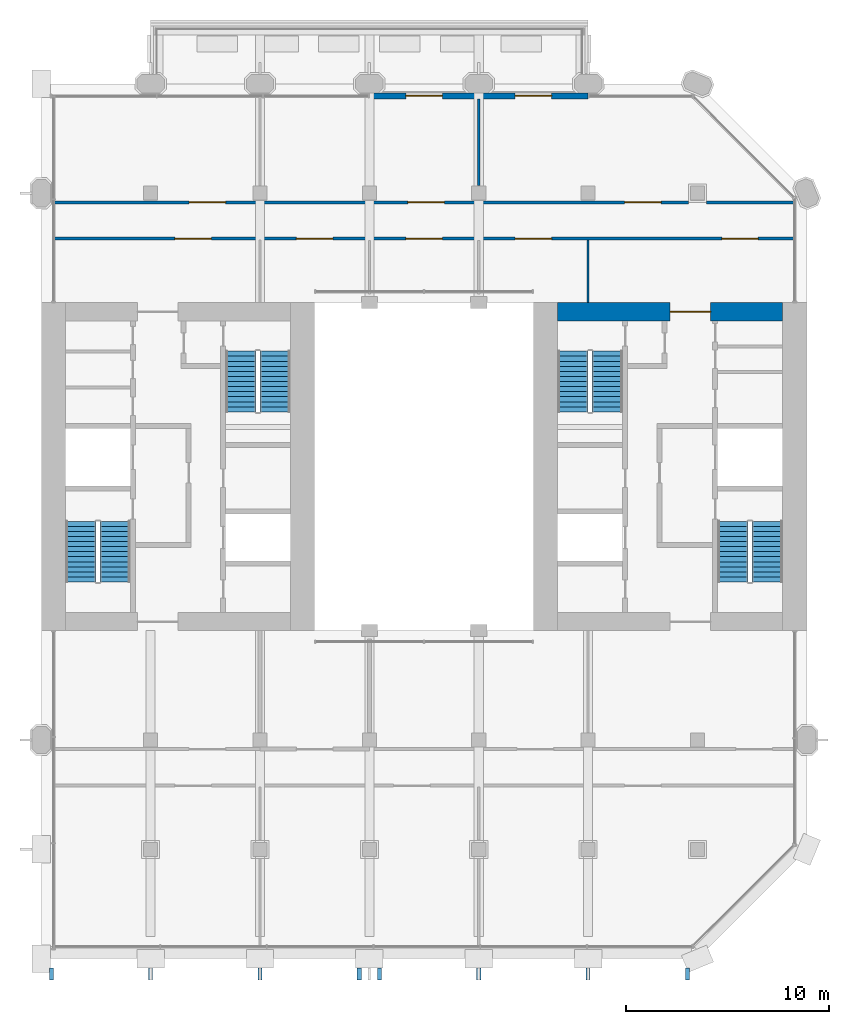
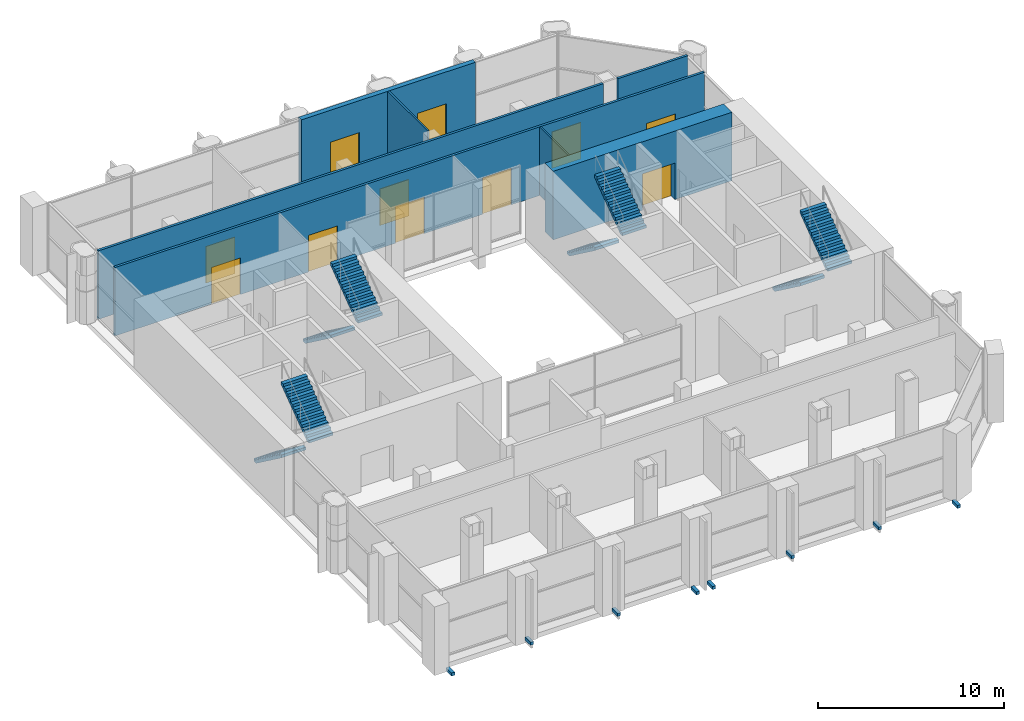
# One storey, part 10 of 13: 11 doors, 8 discrete accessories, 8 stair flights, 7 walls, 11 openings, 4 elements without a shape of their own.
"""IFC4 building model written with IfcOpenShell, lengths in metres."""

import ifcopenshell
import ifcopenshell.guid

model = None  # the IFC model being written
_history = None  # IfcOwnerHistory: only IFC2X3 demands one
_inside = {}  # id of a spatial element -> (the spatial element, [elements in it])
_under = {}  # id of a project, library or spatial element -> (it, [spatial elements below it])
_declared = {}  # id of a project -> (the project, [libraries it declares])
_typed = {}  # id of a type object -> (the type object, [elements of that type])
_made_of = {}  # id of a material, layer set ... -> (it, [elements and type objects made of it])


def new_model(schema):
    """Start an empty IFC model of exactly this schema.

    Asked for "IFC4X3", IfcOpenShell would pick the latest addendum, in which some entities
    have other attributes; the version numbers below select the first issue.
    IFC2X3 requires an IfcOwnerHistory on every rooted entity: one is made here for all.
    """
    global model, _history
    if schema == "IFC4X3":
        model = ifcopenshell.file(schema_version=(4, 3, 0, 0))
    else:
        model = ifcopenshell.file(schema=schema)
    _inside.clear()
    _under.clear()
    _declared.clear()
    _typed.clear()
    _made_of.clear()
    _history = None
    if model.schema == "IFC2X3":
        org = make("IfcOrganization", Name="unknown")
        user = make(
            "IfcPersonAndOrganization",
            ThePerson=make("IfcPerson", FamilyName="unknown"),
            TheOrganization=org,
        )
        app = make(
            "IfcApplication",
            ApplicationDeveloper=org,
            Version="unknown",
            ApplicationFullName="unknown",
            ApplicationIdentifier="unknown",
        )
        _history = make(
            "IfcOwnerHistory",
            OwningUser=user,
            OwningApplication=app,
            ChangeAction="ADDED",
            CreationDate=0,
        )
    return model


def make(cls, **values):
    """One entity of the class cls with the attributes given. An attribute that is None is left unset."""
    return model.create_entity(
        cls, **{name: value for name, value in values.items() if value is not None}
    )


def rooted(cls, **values):
    """An entity with a GlobalId (a new one), such as an element, a storey or a relation."""
    return make(cls, GlobalId=ifcopenshell.guid.new(), OwnerHistory=_history, **values)


def si_unit(unit_type, name, prefix=None):
    """IfcSIUnit, for example si_unit("LENGTHUNIT", "METRE", prefix="MILLI")."""
    return make("IfcSIUnit", UnitType=unit_type, Prefix=prefix, Name=name)


def assignment(units):
    """IfcUnitAssignment: the units of a project."""
    return None if units is None else make("IfcUnitAssignment", Units=units)


def point(xyz):
    """IfcCartesianPoint."""
    return None if xyz is None else make("IfcCartesianPoint", Coordinates=xyz)


def direction(xyz):
    """IfcDirection."""
    return None if xyz is None else make("IfcDirection", DirectionRatios=xyz)


def frame(location, z_axis=None, x_axis=None):
    """IfcAxis2Placement3D, a coordinate frame: its origin and axes. An axis left out is left unset."""
    return make(
        "IfcAxis2Placement3D",
        Location=point(location),
        Axis=direction(z_axis),
        RefDirection=direction(x_axis),
    )


def frame_2d(location, x_axis=None):
    """IfcAxis2Placement2D, a coordinate frame in the plane: its origin and x axis."""
    return make(
        "IfcAxis2Placement2D", Location=point(location), RefDirection=direction(x_axis)
    )


def origin():
    """The frame at (0, 0, 0) with its axes left unset."""
    return frame((0.0, 0.0, 0.0))


def origin_2d():
    """The frame at (0, 0) in the plane with its x axis left unset."""
    return frame_2d((0.0, 0.0))


def place(relative_to, where):
    """IfcLocalPlacement: puts the frame where relative to a parent placement (None: the world)."""
    return make(
        "IfcLocalPlacement", PlacementRelTo=relative_to, RelativePlacement=where
    )


def context(
    kind, dimensions, precision=None, world=None, true_north=None, identifier=None
):
    """IfcGeometricRepresentationContext, for example the 3D "Model" context."""
    return make(
        "IfcGeometricRepresentationContext",
        ContextIdentifier=identifier,
        ContextType=kind,
        CoordinateSpaceDimension=dimensions,
        Precision=precision,
        WorldCoordinateSystem=world,
        TrueNorth=true_north,
    )


def subcontext(parent, identifier, kind, view, scale=None):
    """IfcGeometricRepresentationSubContext, for example "Body" below "Model"."""
    return make(
        "IfcGeometricRepresentationSubContext",
        ContextIdentifier=identifier,
        ContextType=kind,
        ParentContext=parent,
        TargetScale=scale,
        TargetView=view,
    )


def project(units=None, contexts=None):
    """IfcProject with its units and contexts."""
    return rooted(
        "IfcProject",
        Name="project",
        RepresentationContexts=contexts,
        UnitsInContext=assignment(units),
    )


def spatial(cls, under=None, at=None, **own):
    """A site, building, storey or space (cls), placed at a placement, below another one or the project."""
    s = rooted(cls, ObjectPlacement=at, **own)
    if under is not None:
        _under.setdefault(under.id(), (under, []))[1].append(s)
    return s


def polyline(points):
    """IfcPolyline through the points."""
    return make("IfcPolyline", Points=[point(p) for p in points])


def profile(cls, at=None, kind="AREA", **sizes):
    """A parametric profile (cls). Its sizes go by their IFC names, for example OverallWidth=200.0."""
    return make(cls, ProfileType=kind, Position=at, **sizes)


def rectangle(**sizes):
    """IfcRectangleProfileDef."""
    return profile("IfcRectangleProfileDef", **sizes)


def outline(outer, holes=None, kind="AREA"):
    """IfcArbitraryClosedProfileDef: a profile drawn as a closed curve; with holes, ...WithVoids."""
    if holes is None:
        return make("IfcArbitraryClosedProfileDef", ProfileType=kind, OuterCurve=outer)
    return make(
        "IfcArbitraryProfileDefWithVoids",
        ProfileType=kind,
        OuterCurve=outer,
        InnerCurves=holes,
    )


def extrude(swept, where, along, depth):
    """IfcExtrudedAreaSolid: the profile swept, set in the frame where, extruded along a direction by depth."""
    return make(
        "IfcExtrudedAreaSolid",
        SweptArea=swept,
        Position=where,
        ExtrudedDirection=direction(along),
        Depth=depth,
    )


def shape(context_of_items, identifier, shape_type, items):
    """IfcShapeRepresentation: the items that make up one representation, for example the "Body"."""
    return make(
        "IfcShapeRepresentation",
        ContextOfItems=context_of_items,
        RepresentationIdentifier=identifier,
        RepresentationType=shape_type,
        Items=items,
    )


def material(Name=None, Category=None):
    """IfcMaterial."""
    return make("IfcMaterial", Name=Name, Category=Category)


def layer(
    of_material, thickness, ventilated=None, Name=None, Category=None, Priority=None
):
    """IfcMaterialLayer: one layer of a wall or slab, of a material (None: an air gap)."""
    return make(
        "IfcMaterialLayer",
        Material=of_material,
        LayerThickness=thickness,
        IsVentilated=ventilated,
        Name=Name,
        Category=Category,
        Priority=Priority,
    )


def layer_set(layers, Name=None):
    """IfcMaterialLayerSet."""
    return make("IfcMaterialLayerSet", MaterialLayers=layers, LayerSetName=Name)


def made_of(thing, what):
    """Note that an element or type object is made of a material, layer set ...; save() writes the relation."""
    if what is not None:
        _made_of.setdefault(what.id(), (what, []))[1].append(thing)
    return thing


def type_object(cls, material=None, **own):
    """A type object (cls), such as IfcWallType, which elements share."""
    return made_of(rooted(cls, **own), material)


def element(
    cls,
    number,
    at=None,
    inside=None,
    cuts=None,
    type_object=None,
    material=None,
    context=None,
    identifier="Body",
    shape_type=None,
    held_by="IfcProductDefinitionShape",
    body=None,
    shapes=None,
    **own,
):
    """One element of the class cls, such as IfcWall. Its Tag is "e" and its number.

    at: its placement. inside: the storey or other place that contains it. cuts: it is an
    opening in that element (IfcRelVoidsElement). A single representation is given by context,
    identifier, shape_type and body (its items); several are given by shapes. held_by: the class
    of the entity that holds the representations. save() writes the other relations.
    """
    e = rooted(cls, Tag="e%d" % number, ObjectPlacement=at, **own)
    if body is not None:
        shapes = [shape(context, identifier, shape_type, body)]
    if shapes is not None:
        e.Representation = make(held_by, Representations=shapes)
    if inside is not None:
        _inside.setdefault(inside.id(), (inside, []))[1].append(e)
    if cuts is not None:
        rooted(
            "IfcRelVoidsElement", RelatingBuildingElement=cuts, RelatedOpeningElement=e
        )
    if type_object is not None:
        _typed.setdefault(type_object.id(), (type_object, []))[1].append(e)
    return made_of(e, material)


def fill(opening, filler):
    """IfcRelFillsElement: the door or window that sits in an opening."""
    return rooted(
        "IfcRelFillsElement",
        RelatingOpeningElement=opening,
        RelatedBuildingElement=filler,
    )


def aggregate(whole, parts):
    """IfcRelAggregates: a whole, such as a stair, and the parts it consists of."""
    return rooted("IfcRelAggregates", RelatingObject=whole, RelatedObjects=parts)


def save(model, path):
    """Write the relations noted so far, then the file.

    IfcRelAggregates (storeys below a building ...), IfcRelContainedInSpatialStructure (elements
    in a storey), IfcRelDefinesByType, IfcRelAssociatesMaterial and IfcRelDeclares: one each for
    every whole, place, type object, material and project.
    """
    for whole, parts in _under.values():
        aggregate(whole, parts)
    for where, things in _inside.values():
        rooted(
            "IfcRelContainedInSpatialStructure",
            RelatedElements=things,
            RelatingStructure=where,
        )
    for kind, things in _typed.values():
        rooted("IfcRelDefinesByType", RelatedObjects=things, RelatingType=kind)
    for what, things in _made_of.values():
        rooted("IfcRelAssociatesMaterial", RelatedObjects=things, RelatingMaterial=what)
    for by, libraries in _declared.values():
        rooted("IfcRelDeclares", RelatingContext=by, RelatedDefinitions=libraries)
    model.write(path)


model = new_model("IFC4")

# Units and contexts
model_context = context("Model", 3, precision=1e-05, world=origin(), true_north=direction((0.0, 1.0)))
body_context = subcontext(model_context, "Body", "Model", "MODEL_VIEW")
ifc_project = project(units=[si_unit("LENGTHUNIT", "METRE"), si_unit("AREAUNIT", "SQUARE_METRE"), si_unit("VOLUMEUNIT", "CUBIC_METRE"), si_unit("PLANEANGLEUNIT", "RADIAN"), si_unit("MASSUNIT", "GRAM", prefix="KILO")], contexts=[model_context])

# Site, building, storey
site_placement = place(None, origin())
site = spatial("IfcSite", under=ifc_project, at=site_placement, CompositionType="ELEMENT")
building_placement = place(site_placement, origin())
building = spatial("IfcBuilding", under=site, at=building_placement, Name="Tabaq Tower and Sports Hall", CompositionType="ELEMENT")
storey_placement = place(building_placement, frame((0.0, 0.0, 255.699951171875)))
storey = spatial("IfcBuildingStorey", under=building, at=storey_placement, Name="L62", CompositionType="ELEMENT", Elevation=255.699951171875)

# Wall, opening, door
ifc_material_1 = material(Name="Concrete C40/50", Category="concrete")
ifc_layer_1 = layer(ifc_material_1, 0.89990234375)
ifc_layer_set_1 = layer_set([ifc_layer_1], Name="Core wall 900 Concrete C40/50")
wall_type_1 = type_object("IfcWallType", Name="Core wall 900 Concrete C40/50", PredefinedType="SOLIDWALL", material=ifc_layer_set_1)
wall_1_placement = place(storey_placement, frame((30.89990234375, 31.949951171875, 0.0), z_axis=(0.0, 0.0, 1.0), x_axis=(1.0, 0.0, 0.0)))
wall_1 = element("IfcWall", 1, at=wall_1_placement, inside=storey, type_object=wall_type_1, Name="Core wall E L62", PredefinedType="SOLIDWALL", context=body_context, shape_type="SweptSolid", body=[
    extrude(rectangle(XDim=11.10009765625, YDim=0.89990234375, at=frame_2d((5.550048828125, 0.0))), origin(), (0.0, 0.0, 1.0), 4.5),
])
opening_1_placement = place(wall_1_placement, frame((5.550048828125, 0.0, 0.0)))
opening_1 = element("IfcOpeningElement", 2, at=opening_1_placement, cuts=wall_1, Name="Opening PD-EL62-02", PredefinedType="OPENING", context=body_context, shape_type="SweptSolid", body=[
    extrude(rectangle(XDim=2.0, YDim=2.39990234375, at=frame_2d((1.0, 1.199951171875))), frame((0.0, 0.449951171875, 0.0), z_axis=(0.0, -1.0, 0.0), x_axis=(1.0, 0.0, 0.0)), (0.0, 0.0, 1.0), 0.89990234375),
])
ifc_material_2 = material(Name="Steel fire door", Category="steel")
door_type_1 = type_object("IfcDoorType", Name="Core entrance door 2000", OperationType="DOUBLE_DOOR_SINGLE_SWING", PredefinedType="DOOR", material=ifc_material_2)
door_1_placement = place(opening_1_placement, origin())
door_1 = element("IfcDoor", 3, at=door_1_placement, inside=storey, type_object=door_type_1, Name="Core entrance north E L62", OperationType="DOUBLE_DOOR_SINGLE_SWING", OverallHeight=2.39990234375, OverallWidth=2.0, PredefinedType="DOOR", context=body_context, shape_type="SweptSolid", body=[
    extrude(rectangle(XDim=2.0, YDim=2.39990234375, at=frame_2d((1.0, 1.199951171875))), frame((0.0, 0.02490234375, 0.0), z_axis=(0.0, -1.0, 0.0), x_axis=(1.0, 0.0, 0.0)), (0.0, 0.0, 1.0), 0.050048828125),
])
fill(opening_1, door_1)

# Walls
ifc_material_3 = material(Name="Gypsum board on steel studs", Category="steel")
ifc_layer_2 = layer(ifc_material_3, 0.10009765625)
ifc_layer_set_2 = layer_set([ifc_layer_2], Name="Partition 100 Gypsum board")
wall_type_2 = type_object("IfcWallType", Name="Partition 100 Gypsum board", PredefinedType="PARTITIONING", material=ifc_layer_set_2)
wall_2_placement = place(storey_placement, frame((27.0, 42.448974609375, 0.0), z_axis=(0.0, 0.0, 1.0), x_axis=(0.0, -1.0, 0.0)))
element("IfcWall", 4, at=wall_2_placement, inside=storey, type_object=wall_type_2, Name="Partition wall L62", PredefinedType="PARTITIONING", context=body_context, shape_type="SweptSolid", body=[
    extrude(rectangle(XDim=4.279052734375, YDim=0.10009765625, at=frame_2d((2.1396484375, 0.0))), origin(), (0.0, 0.0, 1.0), 4.5),
])
wall_3_placement = place(storey_placement, frame((32.39990234375, 32.39990234375, 0.0), z_axis=(0.0, 0.0, 1.0), x_axis=(0.0, 1.0, 0.0)))
element("IfcWall", 5, at=wall_3_placement, inside=storey, type_object=wall_type_2, Name="Partition wall L62", PredefinedType="PARTITIONING", context=body_context, shape_type="SweptSolid", body=[
    extrude(rectangle(XDim=3.0751953125, YDim=0.10009765625, at=frame_2d((1.53759765625, 0.0))), origin(), (0.0, 0.0, 1.0), 4.5),
])
ifc_material_4 = material(Name="Blockwork", Category="masonry")
ifc_layer_3 = layer(ifc_material_4, 0.14990234375)
ifc_layer_set_3 = layer_set([ifc_layer_3], Name="Separating wall 150 Blockwork")
wall_type_3 = type_object("IfcWallType", Name="Separating wall 150 Blockwork", PredefinedType="PARTITIONING", material=ifc_layer_set_3)
wall_4_placement = place(storey_placement, frame((38.250732421875, 37.35009765625, 0.0), z_axis=(0.0, 0.0, 1.0), x_axis=(1.0, 0.0, 0.0)))
element("IfcWall", 6, at=wall_4_placement, inside=storey, type_object=wall_type_3, Name="Separating wall L62", PredefinedType="PARTITIONING", context=body_context, shape_type="SweptSolid", body=[
    extrude(rectangle(XDim=4.349365234375, YDim=0.14990234375, at=frame_2d((2.1748046875, 0.0))), origin(), (0.0, 0.0, 1.0), 4.5),
])

# Wall, openings, doors
wall_5_placement = place(storey_placement, frame((6.0, 37.35009765625, 0.0), z_axis=(0.0, 0.0, 1.0), x_axis=(1.0, 0.0, 0.0)))
wall_5 = element("IfcWall", 7, at=wall_5_placement, inside=storey, type_object=wall_type_3, Name="Separating wall L62", PredefinedType="PARTITIONING", context=body_context, shape_type="SweptSolid", body=[
    extrude(rectangle(XDim=31.349365234375, YDim=0.14990234375, at=frame_2d((15.6748046875, 0.0))), origin(), (0.0, 0.0, 1.0), 4.5),
])
opening_2_placement = place(wall_5_placement, frame((28.199951171875, 0.0, 0.0)))
opening_2 = element("IfcOpeningElement", 8, at=opening_2_placement, cuts=wall_5, Name="Opening L62-001", PredefinedType="OPENING", context=body_context, shape_type="SweptSolid", body=[
    extrude(rectangle(XDim=1.800048828125, YDim=2.39990234375, at=frame_2d((0.89990234375, 1.199951171875))), frame((0.0, 0.074951171875, 0.0), z_axis=(0.0, -1.0, 0.0), x_axis=(1.0, 0.0, 0.0)), (0.0, 0.0, 1.0), 0.14990234375),
])
opening_3_placement = place(wall_5_placement, frame((17.5, 0.0, 0.0)))
opening_3 = element("IfcOpeningElement", 9, at=opening_3_placement, cuts=wall_5, Name="Opening L62-002", PredefinedType="OPENING", context=body_context, shape_type="SweptSolid", body=[
    extrude(rectangle(XDim=1.800048828125, YDim=2.39990234375, at=frame_2d((0.89990234375, 1.199951171875))), frame((0.0, 0.074951171875, 0.0), z_axis=(0.0, -1.0, 0.0), x_axis=(1.0, 0.0, 0.0)), (0.0, 0.0, 1.0), 0.14990234375),
])
opening_4_placement = place(wall_5_placement, frame((6.699951171875, 0.0, 0.0)))
opening_4 = element("IfcOpeningElement", 10, at=opening_4_placement, cuts=wall_5, Name="Opening L62-003", PredefinedType="OPENING", context=body_context, shape_type="SweptSolid", body=[
    extrude(rectangle(XDim=1.800048828125, YDim=2.39990234375, at=frame_2d((0.89990234375, 1.199951171875))), frame((0.0, 0.074951171875, 0.0), z_axis=(0.0, -1.0, 0.0), x_axis=(1.0, 0.0, 0.0)), (0.0, 0.0, 1.0), 0.14990234375),
])
ifc_material_5 = material(Name="Timber leaf in steel frame", Category="steel")
door_type_2 = type_object("IfcDoorType", Name="Internal door 1800", OperationType="DOUBLE_DOOR_SINGLE_SWING", PredefinedType="DOOR", material=ifc_material_5)
door_2_placement = place(opening_2_placement, origin())
door_2 = element("IfcDoor", 11, at=door_2_placement, inside=storey, type_object=door_type_2, Name="Internal door L62-001", OperationType="DOUBLE_DOOR_SINGLE_SWING", OverallHeight=2.39990234375, OverallWidth=1.800048828125, PredefinedType="DOOR", context=body_context, shape_type="SweptSolid", body=[
    extrude(rectangle(XDim=1.800048828125, YDim=2.39990234375, at=frame_2d((0.89990234375, 1.199951171875))), frame((0.0, 0.02490234375, 0.0), z_axis=(0.0, -1.0, 0.0), x_axis=(1.0, 0.0, 0.0)), (0.0, 0.0, 1.0), 0.050048828125),
])
fill(opening_2, door_2)
door_3_placement = place(opening_3_placement, origin())
door_3 = element("IfcDoor", 12, at=door_3_placement, inside=storey, type_object=door_type_2, Name="Internal door L62-002", OperationType="DOUBLE_DOOR_SINGLE_SWING", OverallHeight=2.39990234375, OverallWidth=1.800048828125, PredefinedType="DOOR", context=body_context, shape_type="SweptSolid", body=[
    extrude(rectangle(XDim=1.800048828125, YDim=2.39990234375, at=frame_2d((0.89990234375, 1.199951171875))), frame((0.0, 0.02490234375, 0.0), z_axis=(0.0, -1.0, 0.0), x_axis=(1.0, 0.0, 0.0)), (0.0, 0.0, 1.0), 0.050048828125),
])
fill(opening_3, door_3)
door_4_placement = place(opening_4_placement, origin())
door_4 = element("IfcDoor", 13, at=door_4_placement, inside=storey, type_object=door_type_2, Name="Internal door L62-003", OperationType="DOUBLE_DOOR_SINGLE_SWING", OverallHeight=2.39990234375, OverallWidth=1.800048828125, PredefinedType="DOOR", context=body_context, shape_type="SweptSolid", body=[
    extrude(rectangle(XDim=1.800048828125, YDim=2.39990234375, at=frame_2d((0.89990234375, 1.199951171875))), frame((0.0, 0.02490234375, 0.0), z_axis=(0.0, -1.0, 0.0), x_axis=(1.0, 0.0, 0.0)), (0.0, 0.0, 1.0), 0.050048828125),
])
fill(opening_4, door_4)

wall_6_placement = place(storey_placement, frame((42.60009765625, 35.550048828125, 0.0), z_axis=(0.0, 0.0, 1.0), x_axis=(-1.0, 0.0, 0.0)))
wall_6 = element("IfcWall", 14, at=wall_6_placement, inside=storey, type_object=wall_type_3, Name="Separating wall L62", PredefinedType="PARTITIONING", context=body_context, shape_type="SweptSolid", body=[
    extrude(rectangle(XDim=36.60009765625, YDim=0.14990234375, at=frame_2d((18.300048828125, 0.0))), origin(), (0.0, 0.0, 1.0), 4.5),
])
opening_5_placement = place(wall_6_placement, frame((12.0, 0.0, 0.0)))
opening_5 = element("IfcOpeningElement", 15, at=opening_5_placement, cuts=wall_6, Name="Opening L62-004", PredefinedType="OPENING", context=body_context, shape_type="SweptSolid", body=[
    extrude(rectangle(XDim=1.800048828125, YDim=2.39990234375, at=frame_2d((0.89990234375, 1.199951171875))), frame((0.0, 0.074951171875, 0.0), z_axis=(0.0, -1.0, 0.0), x_axis=(1.0, 0.0, 0.0)), (0.0, 0.0, 1.0), 0.14990234375),
])
opening_6_placement = place(wall_6_placement, frame((17.39990234375, 0.0, 0.0)))
opening_6 = element("IfcOpeningElement", 16, at=opening_6_placement, cuts=wall_6, Name="Opening L62-005", PredefinedType="OPENING", context=body_context, shape_type="SweptSolid", body=[
    extrude(rectangle(XDim=1.800048828125, YDim=2.39990234375, at=frame_2d((0.89990234375, 1.199951171875))), frame((0.0, 0.074951171875, 0.0), z_axis=(0.0, -1.0, 0.0), x_axis=(1.0, 0.0, 0.0)), (0.0, 0.0, 1.0), 0.14990234375),
])
opening_7_placement = place(wall_6_placement, frame((22.800048828125, 0.0, 0.0)))
opening_7 = element("IfcOpeningElement", 17, at=opening_7_placement, cuts=wall_6, Name="Opening L62-006", PredefinedType="OPENING", context=body_context, shape_type="SweptSolid", body=[
    extrude(rectangle(XDim=1.800048828125, YDim=2.39990234375, at=frame_2d((0.89990234375, 1.199951171875))), frame((0.0, 0.074951171875, 0.0), z_axis=(0.0, -1.0, 0.0), x_axis=(1.0, 0.0, 0.0)), (0.0, 0.0, 1.0), 0.14990234375),
])
opening_8_placement = place(wall_6_placement, frame((1.800048828125, 0.0, 0.0)))
opening_8 = element("IfcOpeningElement", 18, at=opening_8_placement, cuts=wall_6, Name="Opening L62-012", PredefinedType="OPENING", context=body_context, shape_type="SweptSolid", body=[
    extrude(rectangle(XDim=1.800048828125, YDim=2.39990234375, at=frame_2d((0.89990234375, 1.199951171875))), frame((0.0, 0.074951171875, 0.0), z_axis=(0.0, -1.0, 0.0), x_axis=(1.0, 0.0, 0.0)), (0.0, 0.0, 1.0), 0.14990234375),
])
opening_9_placement = place(wall_6_placement, frame((28.800048828125, 0.0, 0.0)))
opening_9 = element("IfcOpeningElement", 19, at=opening_9_placement, cuts=wall_6, Name="Opening L62-013", PredefinedType="OPENING", context=body_context, shape_type="SweptSolid", body=[
    extrude(rectangle(XDim=1.800048828125, YDim=2.39990234375, at=frame_2d((0.89990234375, 1.199951171875))), frame((0.0, 0.074951171875, 0.0), z_axis=(0.0, -1.0, 0.0), x_axis=(1.0, 0.0, 0.0)), (0.0, 0.0, 1.0), 0.14990234375),
])
door_5_placement = place(opening_5_placement, origin())
door_5 = element("IfcDoor", 20, at=door_5_placement, inside=storey, type_object=door_type_2, Name="Internal door L62-004", OperationType="DOUBLE_DOOR_SINGLE_SWING", OverallHeight=2.39990234375, OverallWidth=1.800048828125, PredefinedType="DOOR", context=body_context, shape_type="SweptSolid", body=[
    extrude(rectangle(XDim=1.800048828125, YDim=2.39990234375, at=frame_2d((0.89990234375, 1.199951171875))), frame((0.0, 0.02490234375, 0.0), z_axis=(0.0, -1.0, 0.0), x_axis=(1.0, 0.0, 0.0)), (0.0, 0.0, 1.0), 0.050048828125),
])
fill(opening_5, door_5)
door_6_placement = place(opening_6_placement, origin())
door_6 = element("IfcDoor", 21, at=door_6_placement, inside=storey, type_object=door_type_2, Name="Internal door L62-005", OperationType="DOUBLE_DOOR_SINGLE_SWING", OverallHeight=2.39990234375, OverallWidth=1.800048828125, PredefinedType="DOOR", context=body_context, shape_type="SweptSolid", body=[
    extrude(rectangle(XDim=1.800048828125, YDim=2.39990234375, at=frame_2d((0.89990234375, 1.199951171875))), frame((0.0, 0.02490234375, 0.0), z_axis=(0.0, -1.0, 0.0), x_axis=(1.0, 0.0, 0.0)), (0.0, 0.0, 1.0), 0.050048828125),
])
fill(opening_6, door_6)
door_7_placement = place(opening_7_placement, origin())
door_7 = element("IfcDoor", 22, at=door_7_placement, inside=storey, type_object=door_type_2, Name="Internal door L62-006", OperationType="DOUBLE_DOOR_SINGLE_SWING", OverallHeight=2.39990234375, OverallWidth=1.800048828125, PredefinedType="DOOR", context=body_context, shape_type="SweptSolid", body=[
    extrude(rectangle(XDim=1.800048828125, YDim=2.39990234375, at=frame_2d((0.89990234375, 1.199951171875))), frame((0.0, 0.02490234375, 0.0), z_axis=(0.0, -1.0, 0.0), x_axis=(1.0, 0.0, 0.0)), (0.0, 0.0, 1.0), 0.050048828125),
])
fill(opening_7, door_7)
door_8_placement = place(opening_8_placement, origin())
door_8 = element("IfcDoor", 23, at=door_8_placement, inside=storey, type_object=door_type_2, Name="Internal door L62-012", OperationType="DOUBLE_DOOR_SINGLE_SWING", OverallHeight=2.39990234375, OverallWidth=1.800048828125, PredefinedType="DOOR", context=body_context, shape_type="SweptSolid", body=[
    extrude(rectangle(XDim=1.800048828125, YDim=2.39990234375, at=frame_2d((0.89990234375, 1.199951171875))), frame((0.0, 0.02490234375, 0.0), z_axis=(0.0, -1.0, 0.0), x_axis=(1.0, 0.0, 0.0)), (0.0, 0.0, 1.0), 0.050048828125),
])
fill(opening_8, door_8)
door_9_placement = place(opening_9_placement, origin())
door_9 = element("IfcDoor", 24, at=door_9_placement, inside=storey, type_object=door_type_2, Name="Internal door L62-013", OperationType="DOUBLE_DOOR_SINGLE_SWING", OverallHeight=2.39990234375, OverallWidth=1.800048828125, PredefinedType="DOOR", context=body_context, shape_type="SweptSolid", body=[
    extrude(rectangle(XDim=1.800048828125, YDim=2.39990234375, at=frame_2d((0.89990234375, 1.199951171875))), frame((0.0, 0.02490234375, 0.0), z_axis=(0.0, -1.0, 0.0), x_axis=(1.0, 0.0, 0.0)), (0.0, 0.0, 1.0), 0.050048828125),
])
fill(opening_9, door_9)

ifc_material_6 = material(Name="White precast concrete C60/75", Category="concrete")
ifc_layer_4 = layer(ifc_material_6, 0.300048828125)
ifc_layer_set_4 = layer_set([ifc_layer_4], Name="White precast concrete C60/75 external wall 300")
wall_type_4 = type_object("IfcWallType", Name="White precast concrete C60/75 external wall 300", PredefinedType="SOLIDWALL", material=ifc_layer_set_4)
wall_7_placement = place(storey_placement, frame((32.39990234375, 42.60009765625, 0.0), z_axis=(0.0, 0.0, 1.0), x_axis=(-1.0, 0.0, 0.0)))
wall_7 = element("IfcWall", 25, at=wall_7_placement, inside=storey, type_object=wall_type_4, Name="External Wall L62 N", PredefinedType="SOLIDWALL", context=body_context, shape_type="SweptSolid", body=[
    extrude(rectangle(XDim=10.7998046875, YDim=0.300048828125, at=frame_2d((5.39990234375, 0.0))), origin(), (0.0, 0.0, 1.0), 4.5),
])
opening_10_placement = place(wall_7_placement, frame((1.800048828125, 0.0, 0.0)))
opening_10 = element("IfcOpeningElement", 26, at=opening_10_placement, cuts=wall_7, Name="Opening TD6201", PredefinedType="OPENING", context=body_context, shape_type="SweptSolid", body=[
    extrude(rectangle(XDim=1.800048828125, YDim=2.39990234375, at=frame_2d((0.89990234375, 1.199951171875))), frame((0.0, 0.16015625, 0.0), z_axis=(0.0, -1.0, 0.0), x_axis=(1.0, 0.0, 0.0)), (0.0, 0.0, 1.0), 0.320068359375),
])
opening_11_placement = place(wall_7_placement, frame((7.199951171875, 0.0, 0.0)))
opening_11 = element("IfcOpeningElement", 27, at=opening_11_placement, cuts=wall_7, Name="Opening TD6202", PredefinedType="OPENING", context=body_context, shape_type="SweptSolid", body=[
    extrude(rectangle(XDim=1.800048828125, YDim=2.39990234375, at=frame_2d((0.89990234375, 1.199951171875))), frame((0.0, 0.16015625, 0.0), z_axis=(0.0, -1.0, 0.0), x_axis=(1.0, 0.0, 0.0)), (0.0, 0.0, 1.0), 0.320068359375),
])
ifc_material_7 = material(Name="Aluminium framed clear glazing", Category="aluminium")
door_type_3 = type_object("IfcDoorType", Name="Terrace door TD1", OperationType="DOUBLE_DOOR_DOUBLE_SWING", PredefinedType="DOOR", material=ifc_material_7)
door_10_placement = place(opening_10_placement, origin())
door_10 = element("IfcDoor", 28, at=door_10_placement, inside=storey, type_object=door_type_3, Name="Terrace door TD6201", OperationType="DOUBLE_DOOR_DOUBLE_SWING", OverallHeight=2.39990234375, OverallWidth=1.800048828125, PredefinedType="DOOR", context=body_context, shape_type="SweptSolid", body=[
    extrude(rectangle(XDim=1.800048828125, YDim=2.39990234375, at=frame_2d((0.89990234375, 1.199951171875))), frame((0.0, 0.02490234375, 0.0), z_axis=(0.0, -1.0, 0.0), x_axis=(1.0, 0.0, 0.0)), (0.0, 0.0, 1.0), 0.050048828125),
])
fill(opening_10, door_10)
door_11_placement = place(opening_11_placement, origin())
door_11 = element("IfcDoor", 29, at=door_11_placement, inside=storey, type_object=door_type_3, Name="Terrace door TD6202", OperationType="DOUBLE_DOOR_DOUBLE_SWING", OverallHeight=2.39990234375, OverallWidth=1.800048828125, PredefinedType="DOOR", context=body_context, shape_type="SweptSolid", body=[
    extrude(rectangle(XDim=1.800048828125, YDim=2.39990234375, at=frame_2d((0.89990234375, 1.199951171875))), frame((0.0, 0.02490234375, 0.0), z_axis=(0.0, -1.0, 0.0), x_axis=(1.0, 0.0, 0.0)), (0.0, 0.0, 1.0), 0.050048828125),
])
fill(opening_11, door_11)

# Stair, stair flights
ifc_material_8 = material(Name="Concrete C40/50", Category="concrete")
stair_type = type_object("IfcStairType", Name="Exit stair", PredefinedType="HALF_TURN_STAIR", material=ifc_material_8)
stair_1_placement = place(storey_placement, origin())
stair_1 = element("IfcStair", 30, at=stair_1_placement, inside=storey, type_object=stair_type, Name="L62 Exit stair ST1", PredefinedType="HALF_TURN_STAIR")
ifc_material_9 = material(Name="Concrete C40/50", Category="concrete")
stair_flight_type = type_object("IfcStairFlightType", Name="Exit stair flight", PredefinedType="STRAIGHT", material=ifc_material_9)
stair_flight_1_placement = place(storey_placement, frame((7.35009765625, 21.60009765625, 0.0), z_axis=(0.0, 0.0, 1.0), x_axis=(0.0, -1.0, 0.0)))
stair_flight_1 = element("IfcStairFlight", 31, at=stair_flight_1_placement, type_object=stair_flight_type, Name="ST1 flight 1", NumberOfRisers=13, NumberOfTreads=12, PredefinedType="STRAIGHT", RiserHeight=0.184615385, TreadLength=0.25, context=body_context, shape_type="SweptSolid", body=[
    extrude(outline(polyline([(0.0, 0.0), (0.0, 0.1845703125), (0.25, 0.1845703125), (0.25, 0.369140625), (0.5, 0.369140625), (0.5, 0.553955078125), (0.75, 0.553955078125), (0.75, 0.738525390625), (1.0, 0.738525390625), (1.0, 0.923095703125), (1.25, 0.923095703125), (1.25, 1.107666015625), (1.5, 1.107666015625), (1.5, 1.292236328125), (1.75, 1.292236328125), (1.75, 1.476806640625), (2.0, 1.476806640625), (2.0, 1.66162109375), (2.25, 1.66162109375), (2.25, 1.84619140625), (2.5, 1.84619140625), (2.5, 2.03076171875), (2.75, 2.03076171875), (2.75, 2.21533203125), (3.0, 2.21533203125), (3.0, 2.39990234375), (3.0, 2.029052734375), (0.25244140625, 0.0), (0.0, 0.0)])), frame((0.0, 0.75, 0.0), z_axis=(0.0, -1.0, 0.0), x_axis=(1.0, 0.0, 0.0)), (0.0, 0.0, 1.0), 1.5),
])
stair_flight_2_placement = place(storey_placement, frame((9.050048828125, 18.60009765625, 2.400146484375), z_axis=(0.0, 0.0, 1.0), x_axis=(0.0, 1.0, 0.0)))
stair_flight_2 = element("IfcStairFlight", 32, at=stair_flight_2_placement, type_object=stair_flight_type, Name="ST1 flight 2", NumberOfRisers=13, NumberOfTreads=12, PredefinedType="STRAIGHT", RiserHeight=0.184615385, TreadLength=0.25, context=body_context, shape_type="SweptSolid", body=[
    extrude(outline(polyline([(0.0, 0.0), (0.0, 0.1845703125), (0.25, 0.1845703125), (0.25, 0.369140625), (0.5, 0.369140625), (0.5, 0.553955078125), (0.75, 0.553955078125), (0.75, 0.738525390625), (1.0, 0.738525390625), (1.0, 0.923095703125), (1.25, 0.923095703125), (1.25, 1.107666015625), (1.5, 1.107666015625), (1.5, 1.292236328125), (1.75, 1.292236328125), (1.75, 1.476806640625), (2.0, 1.476806640625), (2.0, 1.66162109375), (2.25, 1.66162109375), (2.25, 1.84619140625), (2.5, 1.84619140625), (2.5, 2.03076171875), (2.75, 2.03076171875), (2.75, 2.21533203125), (3.0, 2.21533203125), (3.0, 2.39990234375), (3.0, 2.029052734375), (0.25244140625, 0.0), (0.0, 0.0)])), frame((0.0, 0.75, 0.0), z_axis=(0.0, -1.0, 0.0), x_axis=(1.0, 0.0, 0.0)), (0.0, 0.0, 1.0), 1.5),
])
aggregate(stair_1, [stair_flight_1, stair_flight_2])

stair_2_placement = place(storey_placement, origin())
stair_2 = element("IfcStair", 33, at=stair_2_placement, inside=storey, type_object=stair_type, Name="L62 Exit stair ST2", PredefinedType="HALF_TURN_STAIR")
stair_flight_3_placement = place(storey_placement, frame((15.25, 30.0, 0.0), z_axis=(0.0, 0.0, 1.0), x_axis=(0.0, -1.0, 0.0)))
stair_flight_3 = element("IfcStairFlight", 34, at=stair_flight_3_placement, type_object=stair_flight_type, Name="ST2 flight 1", NumberOfRisers=13, NumberOfTreads=12, PredefinedType="STRAIGHT", RiserHeight=0.184615385, TreadLength=0.25, context=body_context, shape_type="SweptSolid", body=[
    extrude(outline(polyline([(0.0, 0.0), (0.0, 0.1845703125), (0.25, 0.1845703125), (0.25, 0.369140625), (0.5, 0.369140625), (0.5, 0.553955078125), (0.75, 0.553955078125), (0.75, 0.738525390625), (1.0, 0.738525390625), (1.0, 0.923095703125), (1.25, 0.923095703125), (1.25, 1.107666015625), (1.5, 1.107666015625), (1.5, 1.292236328125), (1.75, 1.292236328125), (1.75, 1.476806640625), (2.0, 1.476806640625), (2.0, 1.66162109375), (2.25, 1.66162109375), (2.25, 1.84619140625), (2.5, 1.84619140625), (2.5, 2.03076171875), (2.75, 2.03076171875), (2.75, 2.21533203125), (3.0, 2.21533203125), (3.0, 2.39990234375), (3.0, 2.029052734375), (0.25244140625, 0.0), (0.0, 0.0)])), frame((0.0, 0.75, 0.0), z_axis=(0.0, -1.0, 0.0), x_axis=(1.0, 0.0, 0.0)), (0.0, 0.0, 1.0), 1.5),
])
stair_flight_4_placement = place(storey_placement, frame((16.949951171875, 27.0, 2.400146484375), z_axis=(0.0, 0.0, 1.0), x_axis=(0.0, 1.0, 0.0)))
stair_flight_4 = element("IfcStairFlight", 35, at=stair_flight_4_placement, type_object=stair_flight_type, Name="ST2 flight 2", NumberOfRisers=13, NumberOfTreads=12, PredefinedType="STRAIGHT", RiserHeight=0.184615385, TreadLength=0.25, context=body_context, shape_type="SweptSolid", body=[
    extrude(outline(polyline([(0.0, 0.0), (0.0, 0.1845703125), (0.25, 0.1845703125), (0.25, 0.369140625), (0.5, 0.369140625), (0.5, 0.553955078125), (0.75, 0.553955078125), (0.75, 0.738525390625), (1.0, 0.738525390625), (1.0, 0.923095703125), (1.25, 0.923095703125), (1.25, 1.107666015625), (1.5, 1.107666015625), (1.5, 1.292236328125), (1.75, 1.292236328125), (1.75, 1.476806640625), (2.0, 1.476806640625), (2.0, 1.66162109375), (2.25, 1.66162109375), (2.25, 1.84619140625), (2.5, 1.84619140625), (2.5, 2.03076171875), (2.75, 2.03076171875), (2.75, 2.21533203125), (3.0, 2.21533203125), (3.0, 2.39990234375), (3.0, 2.029052734375), (0.25244140625, 0.0), (0.0, 0.0)])), frame((0.0, 0.75, 0.0), z_axis=(0.0, -1.0, 0.0), x_axis=(1.0, 0.0, 0.0)), (0.0, 0.0, 1.0), 1.5),
])
aggregate(stair_2, [stair_flight_3, stair_flight_4])

stair_3_placement = place(storey_placement, origin())
stair_3 = element("IfcStair", 36, at=stair_3_placement, inside=storey, type_object=stair_type, Name="L62 Exit stair ST3", PredefinedType="HALF_TURN_STAIR")
stair_flight_5_placement = place(storey_placement, frame((39.550048828125, 21.60009765625, 0.0), z_axis=(0.0, 0.0, 1.0), x_axis=(0.0, -1.0, 0.0)))
stair_flight_5 = element("IfcStairFlight", 37, at=stair_flight_5_placement, type_object=stair_flight_type, Name="ST3 flight 1", NumberOfRisers=13, NumberOfTreads=12, PredefinedType="STRAIGHT", RiserHeight=0.184615385, TreadLength=0.25, context=body_context, shape_type="SweptSolid", body=[
    extrude(outline(polyline([(0.0, 0.0), (0.0, 0.1845703125), (0.25, 0.1845703125), (0.25, 0.369140625), (0.5, 0.369140625), (0.5, 0.553955078125), (0.75, 0.553955078125), (0.75, 0.738525390625), (1.0, 0.738525390625), (1.0, 0.923095703125), (1.25, 0.923095703125), (1.25, 1.107666015625), (1.5, 1.107666015625), (1.5, 1.292236328125), (1.75, 1.292236328125), (1.75, 1.476806640625), (2.0, 1.476806640625), (2.0, 1.66162109375), (2.25, 1.66162109375), (2.25, 1.84619140625), (2.5, 1.84619140625), (2.5, 2.03076171875), (2.75, 2.03076171875), (2.75, 2.21533203125), (3.0, 2.21533203125), (3.0, 2.39990234375), (3.0, 2.029052734375), (0.25244140625, 0.0), (0.0, 0.0)])), frame((0.0, 0.75, 0.0), z_axis=(0.0, -1.0, 0.0), x_axis=(1.0, 0.0, 0.0)), (0.0, 0.0, 1.0), 1.5),
])
stair_flight_6_placement = place(storey_placement, frame((41.25, 18.60009765625, 2.400146484375), z_axis=(0.0, 0.0, 1.0), x_axis=(0.0, 1.0, 0.0)))
stair_flight_6 = element("IfcStairFlight", 38, at=stair_flight_6_placement, type_object=stair_flight_type, Name="ST3 flight 2", NumberOfRisers=13, NumberOfTreads=12, PredefinedType="STRAIGHT", RiserHeight=0.184615385, TreadLength=0.25, context=body_context, shape_type="SweptSolid", body=[
    extrude(outline(polyline([(0.0, 0.0), (0.0, 0.1845703125), (0.25, 0.1845703125), (0.25, 0.369140625), (0.5, 0.369140625), (0.5, 0.553955078125), (0.75, 0.553955078125), (0.75, 0.738525390625), (1.0, 0.738525390625), (1.0, 0.923095703125), (1.25, 0.923095703125), (1.25, 1.107666015625), (1.5, 1.107666015625), (1.5, 1.292236328125), (1.75, 1.292236328125), (1.75, 1.476806640625), (2.0, 1.476806640625), (2.0, 1.66162109375), (2.25, 1.66162109375), (2.25, 1.84619140625), (2.5, 1.84619140625), (2.5, 2.03076171875), (2.75, 2.03076171875), (2.75, 2.21533203125), (3.0, 2.21533203125), (3.0, 2.39990234375), (3.0, 2.029052734375), (0.25244140625, 0.0), (0.0, 0.0)])), frame((0.0, 0.75, 0.0), z_axis=(0.0, -1.0, 0.0), x_axis=(1.0, 0.0, 0.0)), (0.0, 0.0, 1.0), 1.5),
])
aggregate(stair_3, [stair_flight_5, stair_flight_6])

stair_4_placement = place(storey_placement, origin())
stair_4 = element("IfcStair", 39, at=stair_4_placement, inside=storey, type_object=stair_type, Name="L62 Exit stair ST4", PredefinedType="HALF_TURN_STAIR")
stair_flight_7_placement = place(storey_placement, frame((31.64990234375, 30.0, 0.0), z_axis=(0.0, 0.0, 1.0), x_axis=(0.0, -1.0, 0.0)))
stair_flight_7 = element("IfcStairFlight", 40, at=stair_flight_7_placement, type_object=stair_flight_type, Name="ST4 flight 1", NumberOfRisers=13, NumberOfTreads=12, PredefinedType="STRAIGHT", RiserHeight=0.184615385, TreadLength=0.25, context=body_context, shape_type="SweptSolid", body=[
    extrude(outline(polyline([(0.0, 0.0), (0.0, 0.1845703125), (0.25, 0.1845703125), (0.25, 0.369140625), (0.5, 0.369140625), (0.5, 0.553955078125), (0.75, 0.553955078125), (0.75, 0.738525390625), (1.0, 0.738525390625), (1.0, 0.923095703125), (1.25, 0.923095703125), (1.25, 1.107666015625), (1.5, 1.107666015625), (1.5, 1.292236328125), (1.75, 1.292236328125), (1.75, 1.476806640625), (2.0, 1.476806640625), (2.0, 1.66162109375), (2.25, 1.66162109375), (2.25, 1.84619140625), (2.5, 1.84619140625), (2.5, 2.03076171875), (2.75, 2.03076171875), (2.75, 2.21533203125), (3.0, 2.21533203125), (3.0, 2.39990234375), (3.0, 2.029052734375), (0.25244140625, 0.0), (0.0, 0.0)])), frame((0.0, 0.75, 0.0), z_axis=(0.0, -1.0, 0.0), x_axis=(1.0, 0.0, 0.0)), (0.0, 0.0, 1.0), 1.5),
])
stair_flight_8_placement = place(storey_placement, frame((33.35009765625, 27.0, 2.400146484375), z_axis=(0.0, 0.0, 1.0), x_axis=(0.0, 1.0, 0.0)))
stair_flight_8 = element("IfcStairFlight", 41, at=stair_flight_8_placement, type_object=stair_flight_type, Name="ST4 flight 2", NumberOfRisers=13, NumberOfTreads=12, PredefinedType="STRAIGHT", RiserHeight=0.184615385, TreadLength=0.25, context=body_context, shape_type="SweptSolid", body=[
    extrude(outline(polyline([(0.0, 0.0), (0.0, 0.1845703125), (0.25, 0.1845703125), (0.25, 0.369140625), (0.5, 0.369140625), (0.5, 0.553955078125), (0.75, 0.553955078125), (0.75, 0.738525390625), (1.0, 0.738525390625), (1.0, 0.923095703125), (1.25, 0.923095703125), (1.25, 1.107666015625), (1.5, 1.107666015625), (1.5, 1.292236328125), (1.75, 1.292236328125), (1.75, 1.476806640625), (2.0, 1.476806640625), (2.0, 1.66162109375), (2.25, 1.66162109375), (2.25, 1.84619140625), (2.5, 1.84619140625), (2.5, 2.03076171875), (2.75, 2.03076171875), (2.75, 2.21533203125), (3.0, 2.21533203125), (3.0, 2.39990234375), (3.0, 2.029052734375), (0.25244140625, 0.0), (0.0, 0.0)])), frame((0.0, 0.75, 0.0), z_axis=(0.0, -1.0, 0.0), x_axis=(1.0, 0.0, 0.0)), (0.0, 0.0, 1.0), 1.5),
])
aggregate(stair_4, [stair_flight_7, stair_flight_8])

# Discrete accessories
for number, where, z_axis, x_axis, name in (
    (42, (5.89990234375, -0.75, -0.10009765625), (0.0, 0.0, 1.0), (0.0, -1.0, 0.0), "Stainless steel bracket"),
    (43, (10.800048828125, -0.75, 0.2001953125), (0.0, 0.0, 1.0), (0.0, -1.0, 0.0), "Stainless steel bracket"),
    (44, (16.199951171875, -0.75, 0.2001953125), (0.0, 0.0, 1.0), (0.0, -1.0, 0.0), "Stainless steel bracket"),
    (45, (21.10009765625, -0.75, -0.10009765625), (0.0, 0.0, 1.0), (0.0, -1.0, 0.0), "Stainless steel bracket"),
    (46, (22.10009765625, -0.75, -0.10009765625), (0.0, 0.0, 1.0), (0.0, -1.0, 0.0), "Stainless steel bracket"),
    (47, (27.0, -0.75, 0.2001953125), (0.0, 0.0, 1.0), (0.0, -1.0, 0.0), "Stainless steel bracket"),
    (48, (32.39990234375, -0.75, 0.2001953125), (0.0, 0.0, 1.0), (0.0, -1.0, 0.0), "Stainless steel bracket"),
    (49, (37.300048828125, -0.75, -0.10009765625), (0.0, 0.0, 1.0), (0.0, -1.0, 0.0), "Stainless steel bracket"),
):
    element("IfcDiscreteAccessory", number, at=place(storey_placement, frame(where, z_axis=z_axis, x_axis=x_axis)), inside=storey, Name=name, PredefinedType="BRACKET", context=body_context, shape_type="SweptSolid", body=[
        extrude(rectangle(XDim=0.60009765625, YDim=0.199951171875, at=origin_2d()), origin(), (0.0, 0.0, 1.0), 0.199951171875),
    ])

save(model, "model.ifc")
